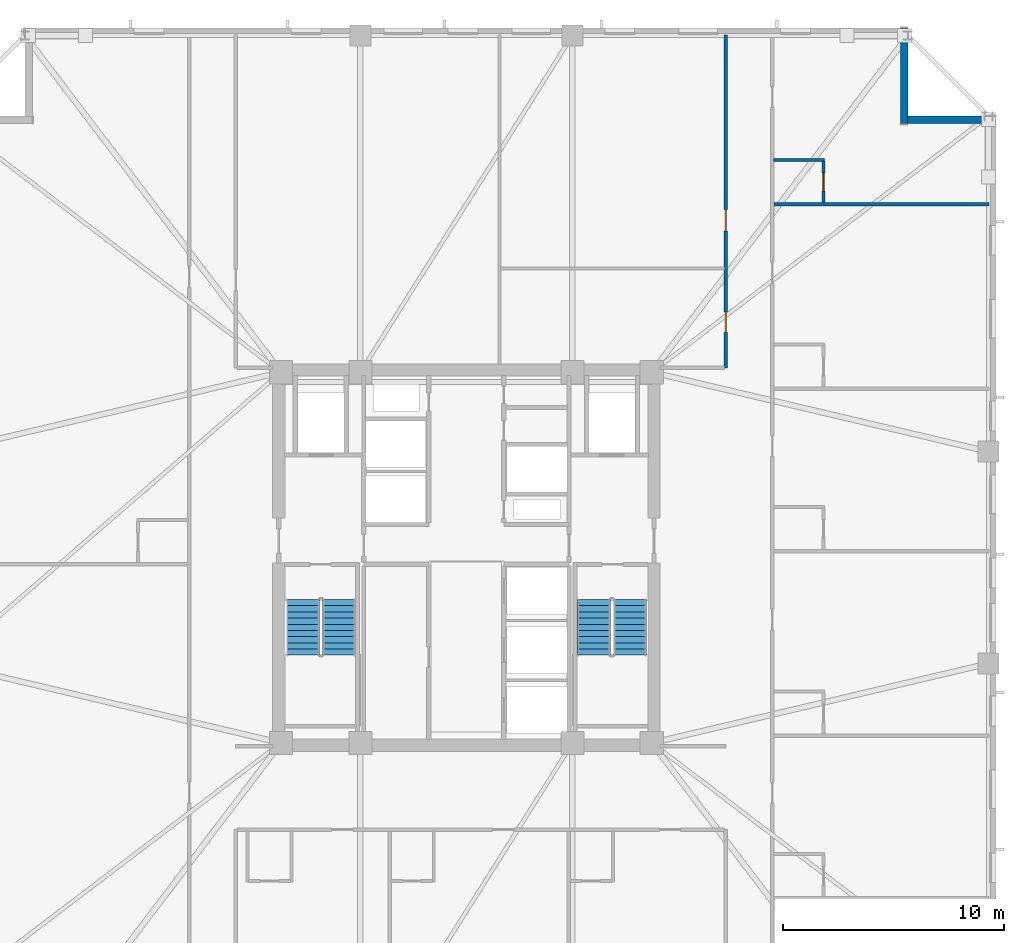
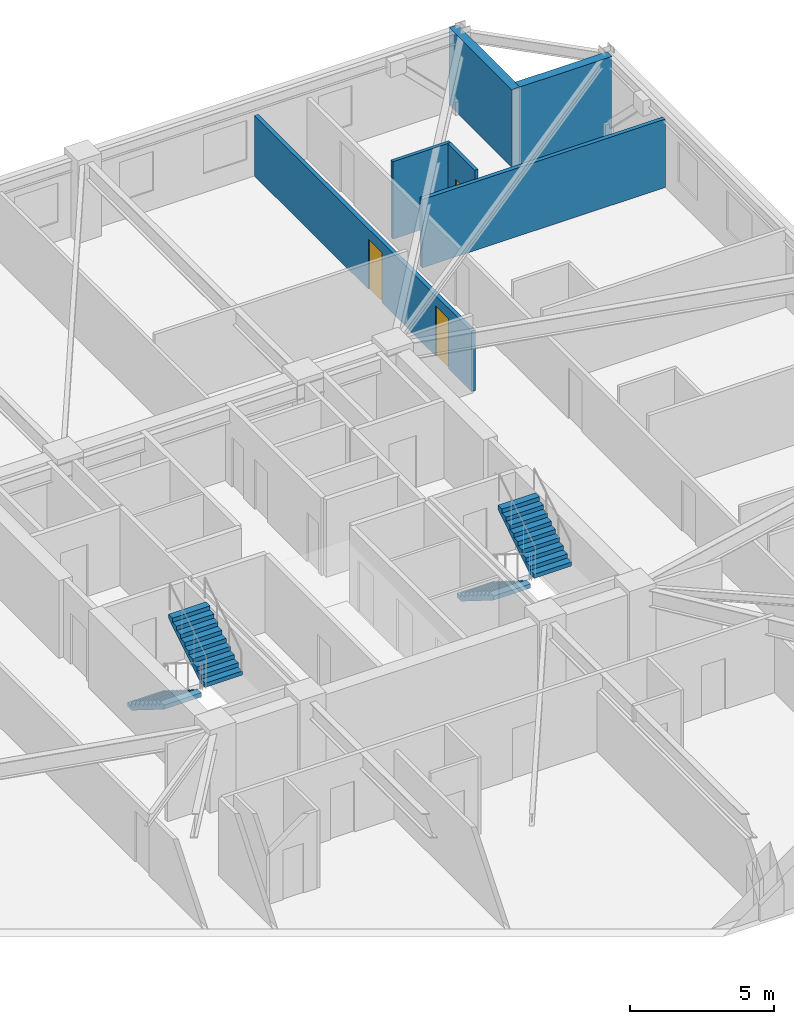
# One storey, part 6 of 11: 6 walls, 4 stair flights, 3 doors, 3 openings, 2 elements without a shape of their own.
"""IFC4 building model written with IfcOpenShell, lengths in metres."""

from ifc_helpers import new_model, si_unit, direction, frame, frame_2d, origin, place, context, subcontext, project, spatial, polyline, rectangle, outline, extrude, material, layer, layer_set, type_object, element, fill, aggregate, save


model = new_model("IFC4")

# Units and contexts
model_context = context("Model", 3, precision=1e-05, world=origin(), true_north=direction((0.0, 1.0)))
body_context = subcontext(model_context, "Body", "Model", "MODEL_VIEW")
ifc_project = project(units=[si_unit("LENGTHUNIT", "METRE"), si_unit("AREAUNIT", "SQUARE_METRE"), si_unit("VOLUMEUNIT", "CUBIC_METRE"), si_unit("PLANEANGLEUNIT", "RADIAN"), si_unit("MASSUNIT", "GRAM", prefix="KILO")], contexts=[model_context])

# Site, building, storey
site_placement = place(None, origin())
site = spatial("IfcSite", under=ifc_project, at=site_placement, CompositionType="ELEMENT")
building_placement = place(site_placement, origin())
building = spatial("IfcBuilding", under=site, at=building_placement, Name="Cairnveth Concourse Tower", CompositionType="ELEMENT")
storey_placement = place(building_placement, frame((0.0, 0.0, 134.0)))
storey = spatial("IfcBuildingStorey", under=building, at=storey_placement, Name="L36", CompositionType="ELEMENT", Elevation=134.0)

# Wall, openings, doors
ifc_material_1 = material(Name="Gypsum Plasterboard Partition", Category="gypsum")
ifc_layer_1 = layer(ifc_material_1, 0.159912109375)
ifc_layer_set_1 = layer_set([ifc_layer_1], Name="Gypsum Plasterboard Partition")
wall_type_1 = type_object("IfcWallType", Name="ACOUSTIC PARTY WALL 180", PredefinedType="PARTITIONING", material=ifc_layer_set_1)
wall_1_placement = place(storey_placement, frame((63.75, 47.60009765625, 0.0), z_axis=(0.0, 0.0, 1.0), x_axis=(0.0, 1.0, 0.0)))
wall_1 = element("IfcWall", 1, at=wall_1_placement, inside=storey, type_object=wall_type_1, Name="Interior Wall IW-L36-043", PredefinedType="PARTITIONING", context=body_context, shape_type="SweptSolid", body=[
    extrude(rectangle(XDim=15.074951171875, YDim=0.159912109375, at=frame_2d((7.53759765625, 0.0))), origin(), (0.0, 0.0, 1.0), 2.554931640625),
])
opening_1_placement = place(wall_1_placement, frame((1.60009765625, 0.0, 0.0)))
opening_1 = element("IfcOpeningElement", 2, at=opening_1_placement, cuts=wall_1, Name="Opening ID15", PredefinedType="OPENING", context=body_context, shape_type="SweptSolid", body=[
    extrude(rectangle(XDim=0.919921875, YDim=2.1201171875, at=frame_2d((0.4599609375, 1.06005859375))), frame((0.0, 0.08984375, 0.0), z_axis=(0.0, -1.0, 0.0), x_axis=(1.0, 0.0, 0.0)), (0.0, 0.0, 1.0), 0.179931640625),
])
opening_2_placement = place(wall_1_placement, frame((6.199951171875, 0.0, 0.0)))
opening_2 = element("IfcOpeningElement", 3, at=opening_2_placement, cuts=wall_1, Name="Opening ID11", PredefinedType="OPENING", context=body_context, shape_type="SweptSolid", body=[
    extrude(rectangle(XDim=0.9599609375, YDim=2.1201171875, at=frame_2d((0.47998046875, 1.06005859375))), frame((0.0, 0.08984375, 0.0), z_axis=(0.0, -1.0, 0.0), x_axis=(1.0, 0.0, 0.0)), (0.0, 0.0, 1.0), 0.179931640625),
])
ifc_material_2 = material(Name="Solid Core Hardwood Timber Leaf", Category="wood")
door_type_1 = type_object("IfcDoorType", Name="INTERIOR SINGLE DOOR 920X2100", OperationType="NOTDEFINED", PredefinedType="DOOR", material=ifc_material_2)
door_1_placement = place(opening_1_placement, origin())
door_1 = element("IfcDoor", 4, at=door_1_placement, inside=storey, type_object=door_type_1, Name="Interior Door DR-L36-016", OperationType="SINGLE_SWING_RIGHT", OverallHeight=2.1201171875, OverallWidth=0.919921875, PredefinedType="DOOR", context=body_context, shape_type="SweptSolid", body=[
    extrude(rectangle(XDim=0.919921875, YDim=2.1201171875, at=frame_2d((0.4599609375, 1.06005859375))), frame((0.0, 0.02490234375, 0.0), z_axis=(0.0, -1.0, 0.0), x_axis=(1.0, 0.0, 0.0)), (0.0, 0.0, 1.0), 0.050048828125),
])
fill(opening_1, door_1)
door_type_2 = type_object("IfcDoorType", Name="INTERIOR SINGLE DOOR 960X2150", OperationType="NOTDEFINED", PredefinedType="DOOR", material=ifc_material_2)
door_2_placement = place(opening_2_placement, origin())
door_2 = element("IfcDoor", 5, at=door_2_placement, inside=storey, type_object=door_type_2, Name="Interior Door DR-L36-017", OperationType="SINGLE_SWING_LEFT", OverallHeight=2.1201171875, OverallWidth=0.9599609375, PredefinedType="DOOR", context=body_context, shape_type="SweptSolid", body=[
    extrude(rectangle(XDim=0.9599609375, YDim=2.1201171875, at=frame_2d((0.47998046875, 1.06005859375))), frame((0.0, 0.02490234375, 0.0), z_axis=(0.0, -1.0, 0.0), x_axis=(1.0, 0.0, 0.0)), (0.0, 0.0, 1.0), 0.050048828125),
])
fill(opening_2, door_2)

# Walls
wall_2_placement = place(storey_placement, frame((65.929931640625, 55.015625, 0.0), z_axis=(0.0, 0.0, 1.0), x_axis=(1.0, 0.0, 0.0)))
element("IfcWall", 6, at=wall_2_placement, inside=storey, type_object=wall_type_1, Name="Interior Wall IW-L36-079", PredefinedType="PARTITIONING", context=body_context, shape_type="SweptSolid", body=[
    extrude(rectangle(XDim=9.7451171875, YDim=0.159912109375, at=frame_2d((4.87255859375, 0.0))), origin(), (0.0, 0.0, 1.0), 2.89599609375),
])
ifc_layer_2 = layer(ifc_material_1, 0.1298828125)
ifc_layer_set_2 = layer_set([ifc_layer_2], Name="Gypsum Plasterboard Partition")
wall_type_2 = type_object("IfcWallType", Name="WET AREA PARTITION 140", PredefinedType="PLUMBINGWALL", material=ifc_layer_set_2)
wall_3_placement = place(storey_placement, frame((65.9150390625, 57.015625, 0.0), z_axis=(0.0, 0.0, 1.0), x_axis=(1.0, 0.0, 0.0)))
element("IfcWall", 7, at=wall_3_placement, inside=storey, type_object=wall_type_2, Name="Interior Wall IW-L36-080", PredefinedType="PLUMBINGWALL", context=body_context, shape_type="SweptSolid", body=[
    extrude(rectangle(XDim=2.31494140625, YDim=0.1298828125, at=frame_2d((1.157470703125, 0.0))), origin(), (0.0, 0.0, 1.0), 3.280029296875),
])

# Wall, opening, door
wall_4_placement = place(storey_placement, frame((68.179931640625, 55.080810546875, 0.0), z_axis=(0.0, 0.0, 1.0), x_axis=(0.0, 1.0, 0.0)))
wall_4 = element("IfcWall", 8, at=wall_4_placement, inside=storey, type_object=wall_type_2, Name="Interior Wall IW-L36-081", PredefinedType="PLUMBINGWALL", context=body_context, shape_type="SweptSolid", body=[
    extrude(rectangle(XDim=1.885009765625, YDim=0.1298828125, at=frame_2d((0.9423828125, 0.0))), origin(), (0.0, 0.0, 1.0), 3.280029296875),
])
opening_3_placement = place(wall_4_placement, frame((0.52490234375, 0.0, 0.0)))
opening_3 = element("IfcOpeningElement", 9, at=opening_3_placement, cuts=wall_4, Name="Opening ID22", PredefinedType="OPENING", context=body_context, shape_type="SweptSolid", body=[
    extrude(rectangle(XDim=0.820068359375, YDim=2.10009765625, at=frame_2d((0.41015625, 1.050048828125))), frame((0.0, 0.074951171875, 0.0), z_axis=(0.0, -1.0, 0.0), x_axis=(1.0, 0.0, 0.0)), (0.0, 0.0, 1.0), 0.14990234375),
])
door_type_3 = type_object("IfcDoorType", Name="INTERIOR WC DOOR 820X2100", OperationType="NOTDEFINED", PredefinedType="DOOR", material=ifc_material_2)
door_3_placement = place(opening_3_placement, origin())
door_3 = element("IfcDoor", 10, at=door_3_placement, inside=storey, type_object=door_type_3, Name="En-Suite Door L36-E6", OperationType="SINGLE_SWING_RIGHT", OverallHeight=2.10009765625, OverallWidth=0.820068359375, PredefinedType="DOOR", context=body_context, shape_type="SweptSolid", body=[
    extrude(rectangle(XDim=0.820068359375, YDim=2.10009765625, at=frame_2d((0.41015625, 1.050048828125))), frame((0.0, 0.02490234375, 0.0), z_axis=(0.0, -1.0, 0.0), x_axis=(1.0, 0.0, 0.0)), (0.0, 0.0, 1.0), 0.050048828125),
])
fill(opening_3, door_3)

# Walls
ifc_material_3 = material(Name="Hawthorn Red-Ochre Fired Clay Brick Masonry", Category="masonry")
ifc_layer_3 = layer(ifc_material_3, 0.340087890625)
ifc_layer_set_3 = layer_set([ifc_layer_3], Name="Hawthorn Red-Ochre Fired Clay Brick Masonry")
wall_type_3 = type_object("IfcWallType", Name="ZONE 2 BRICK PIER SPANDREL WALL 340", PredefinedType="SOLIDWALL", material=ifc_layer_set_3)
wall_5_placement = place(storey_placement, frame((71.830078125, 63.0, 0.0), z_axis=(0.0, 0.0, 1.0), x_axis=(0.0, -1.0, 0.0)))
element("IfcWall", 11, at=wall_5_placement, inside=storey, type_object=wall_type_3, Name="Exterior Wall EW-L36-S04", PredefinedType="SOLIDWALL", context=body_context, shape_type="SweptSolid", body=[
    extrude(rectangle(XDim=4.340087890625, YDim=0.340087890625, at=frame_2d((2.169921875, 0.0))), origin(), (0.0, 0.0, 1.0), 3.280029296875),
])
wall_6_placement = place(storey_placement, frame((71.97802734375, 58.830078125, 0.0), z_axis=(0.0, 0.0, 1.0), x_axis=(1.0, 0.0, 0.0)))
element("IfcWall", 12, at=wall_6_placement, inside=storey, type_object=wall_type_3, Name="Exterior Wall EW-L36-S05", PredefinedType="SOLIDWALL", context=body_context, shape_type="SweptSolid", body=[
    extrude(rectangle(XDim=3.703857421875, YDim=0.340087890625, at=frame_2d((1.85205078125, 0.0))), origin(), (0.0, 0.0, 1.0), 3.280029296875),
])

# Stair, stair flights
ifc_material_4 = material(Name="Precast concrete N50 (50 MPa)", Category="concrete")
stair_type = type_object("IfcStairType", Name="CORE DOG-LEG FIRE STAIR 1500", PredefinedType="HALF_TURN_STAIR", material=ifc_material_4)
stair_1_placement = place(storey_placement, origin())
stair_1 = element("IfcStair", 13, at=stair_1_placement, inside=storey, type_object=stair_type, Name="L36 Fire-Isolated Stair ST-1", PredefinedType="HALF_TURN_STAIR")
stair_flight_type = type_object("IfcStairFlightType", Name="PRECAST CONCRETE STAIR FLIGHT 1500", PredefinedType="STRAIGHT", material=ifc_material_4)
stair_flight_1_placement = place(storey_placement, frame((44.590087890625, 37.10009765625, 0.0), z_axis=(0.0, 0.0, 1.0), x_axis=(0.0, -1.0, 0.0)))
stair_flight_1 = element("IfcStairFlight", 14, at=stair_flight_1_placement, type_object=stair_flight_type, Name="ST-1 flight 1", NumberOfRisers=10, NumberOfTreads=9, PredefinedType="STRAIGHT", RiserHeight=0.175, TreadLength=0.28, context=body_context, shape_type="SweptSolid", body=[
    extrude(outline(polyline([(0.0, 0.0), (0.0, 0.175048828125), (0.280029296875, 0.175048828125), (0.280029296875, 0.35009765625), (0.56005859375, 0.35009765625), (0.56005859375, 0.52490234375), (0.840087890625, 0.52490234375), (0.840087890625, 0.699951171875), (1.1201171875, 0.699951171875), (1.1201171875, 0.875), (1.39990234375, 0.875), (1.39990234375, 1.050048828125), (1.679931640625, 1.050048828125), (1.679931640625, 1.22509765625), (1.9599609375, 1.22509765625), (1.9599609375, 1.39990234375), (2.239990234375, 1.39990234375), (2.239990234375, 1.574951171875), (2.52001953125, 1.574951171875), (2.52001953125, 1.75), (2.52001953125, 1.398193359375), (0.28271484375, 0.0), (0.0, 0.0)])), frame((0.0, 0.75, 0.0), z_axis=(0.0, -1.0, 0.0), x_axis=(1.0, 0.0, 0.0)), (0.0, 0.0, 1.0), 1.5),
])
stair_flight_2_placement = place(storey_placement, frame((46.22998046875, 34.580078125, 1.75), z_axis=(0.0, 0.0, 1.0), x_axis=(0.0, 1.0, 0.0)))
stair_flight_2 = element("IfcStairFlight", 15, at=stair_flight_2_placement, type_object=stair_flight_type, Name="ST-1 flight 2", NumberOfRisers=10, NumberOfTreads=9, PredefinedType="STRAIGHT", RiserHeight=0.175, TreadLength=0.28, context=body_context, shape_type="SweptSolid", body=[
    extrude(outline(polyline([(0.0, 0.0), (0.0, 0.175048828125), (0.280029296875, 0.175048828125), (0.280029296875, 0.35009765625), (0.56005859375, 0.35009765625), (0.56005859375, 0.52490234375), (0.840087890625, 0.52490234375), (0.840087890625, 0.699951171875), (1.1201171875, 0.699951171875), (1.1201171875, 0.875), (1.39990234375, 0.875), (1.39990234375, 1.050048828125), (1.679931640625, 1.050048828125), (1.679931640625, 1.22509765625), (1.9599609375, 1.22509765625), (1.9599609375, 1.39990234375), (2.239990234375, 1.39990234375), (2.239990234375, 1.574951171875), (2.52001953125, 1.574951171875), (2.52001953125, 1.75), (2.52001953125, 1.398193359375), (0.28271484375, 0.0), (0.0, 0.0)])), frame((0.0, 0.75, 0.0), z_axis=(0.0, -1.0, 0.0), x_axis=(1.0, 0.0, 0.0)), (0.0, 0.0, 1.0), 1.5),
])
aggregate(stair_1, [stair_flight_1, stair_flight_2])

stair_2_placement = place(storey_placement, origin())
stair_2 = element("IfcStair", 16, at=stair_2_placement, inside=storey, type_object=stair_type, Name="L36 Fire-Isolated Stair ST-2", PredefinedType="HALF_TURN_STAIR")
stair_flight_3_placement = place(storey_placement, frame((57.77001953125, 37.10009765625, 0.0), z_axis=(0.0, 0.0, 1.0), x_axis=(0.0, -1.0, 0.0)))
stair_flight_3 = element("IfcStairFlight", 17, at=stair_flight_3_placement, type_object=stair_flight_type, Name="ST-2 flight 1", NumberOfRisers=10, NumberOfTreads=9, PredefinedType="STRAIGHT", RiserHeight=0.175, TreadLength=0.28, context=body_context, shape_type="SweptSolid", body=[
    extrude(outline(polyline([(0.0, 0.0), (0.0, 0.175048828125), (0.280029296875, 0.175048828125), (0.280029296875, 0.35009765625), (0.56005859375, 0.35009765625), (0.56005859375, 0.52490234375), (0.840087890625, 0.52490234375), (0.840087890625, 0.699951171875), (1.1201171875, 0.699951171875), (1.1201171875, 0.875), (1.39990234375, 0.875), (1.39990234375, 1.050048828125), (1.679931640625, 1.050048828125), (1.679931640625, 1.22509765625), (1.9599609375, 1.22509765625), (1.9599609375, 1.39990234375), (2.239990234375, 1.39990234375), (2.239990234375, 1.574951171875), (2.52001953125, 1.574951171875), (2.52001953125, 1.75), (2.52001953125, 1.398193359375), (0.28271484375, 0.0), (0.0, 0.0)])), frame((0.0, 0.75, 0.0), z_axis=(0.0, -1.0, 0.0), x_axis=(1.0, 0.0, 0.0)), (0.0, 0.0, 1.0), 1.5),
])
stair_flight_4_placement = place(storey_placement, frame((59.409912109375, 34.580078125, 1.75), z_axis=(0.0, 0.0, 1.0), x_axis=(0.0, 1.0, 0.0)))
stair_flight_4 = element("IfcStairFlight", 18, at=stair_flight_4_placement, type_object=stair_flight_type, Name="ST-2 flight 2", NumberOfRisers=10, NumberOfTreads=9, PredefinedType="STRAIGHT", RiserHeight=0.175, TreadLength=0.28, context=body_context, shape_type="SweptSolid", body=[
    extrude(outline(polyline([(0.0, 0.0), (0.0, 0.175048828125), (0.280029296875, 0.175048828125), (0.280029296875, 0.35009765625), (0.56005859375, 0.35009765625), (0.56005859375, 0.52490234375), (0.840087890625, 0.52490234375), (0.840087890625, 0.699951171875), (1.1201171875, 0.699951171875), (1.1201171875, 0.875), (1.39990234375, 0.875), (1.39990234375, 1.050048828125), (1.679931640625, 1.050048828125), (1.679931640625, 1.22509765625), (1.9599609375, 1.22509765625), (1.9599609375, 1.39990234375), (2.239990234375, 1.39990234375), (2.239990234375, 1.574951171875), (2.52001953125, 1.574951171875), (2.52001953125, 1.75), (2.52001953125, 1.398193359375), (0.28271484375, 0.0), (0.0, 0.0)])), frame((0.0, 0.75, 0.0), z_axis=(0.0, -1.0, 0.0), x_axis=(1.0, 0.0, 0.0)), (0.0, 0.0, 1.0), 1.5),
])
aggregate(stair_2, [stair_flight_3, stair_flight_4])

save(model, "model.ifc")
